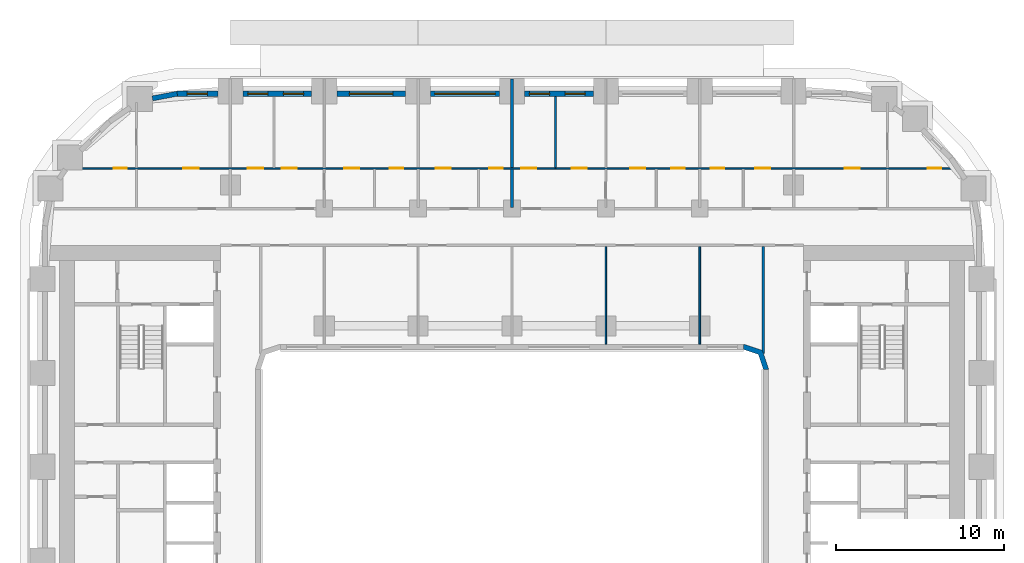
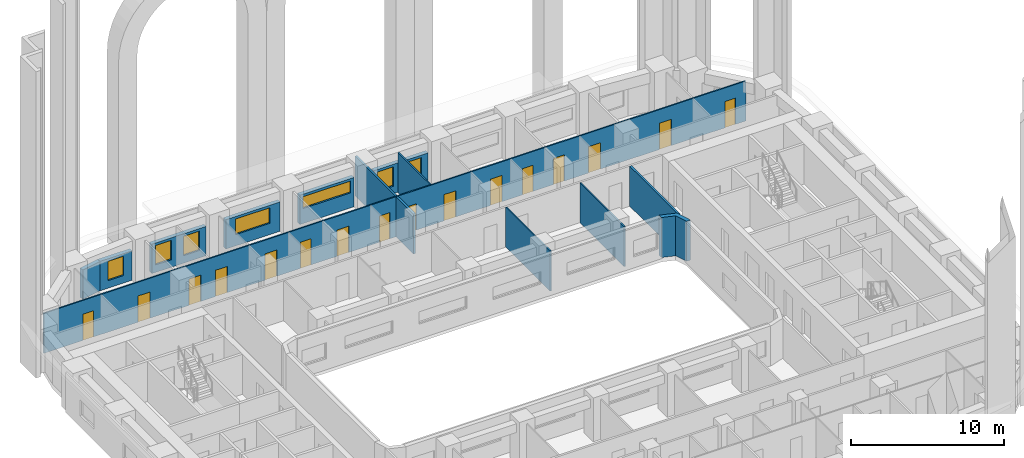
# One storey, part 8 of 21: 16 doors, 14 walls, 7 windows, 23 openings.
"""IFC4 building model written with IfcOpenShell, lengths in metres."""

from ifc_helpers import new_model, si_unit, direction, frame, frame_2d, origin, place, context, subcontext, project, spatial, polyline, rectangle, outline, extrude, material, layer, layer_set, type_object, element, fill, save


model = new_model("IFC4")

# Units and contexts
model_context = context("Model", 3, precision=1e-05, world=origin(), true_north=direction((0.0, 1.0)))
body_context = subcontext(model_context, "Body", "Model", "MODEL_VIEW")
ifc_project = project(units=[si_unit("LENGTHUNIT", "METRE"), si_unit("AREAUNIT", "SQUARE_METRE"), si_unit("VOLUMEUNIT", "CUBIC_METRE"), si_unit("PLANEANGLEUNIT", "RADIAN"), si_unit("MASSUNIT", "GRAM", prefix="KILO")], contexts=[model_context])

# Site, building, storey
site_placement = place(None, origin())
site = spatial("IfcSite", under=ifc_project, at=site_placement, CompositionType="ELEMENT")
building_placement = place(site_placement, origin())
building = spatial("IfcBuilding", under=site, at=building_placement, Name="Kiln Ring Residences", CompositionType="ELEMENT")
storey_placement = place(building_placement, frame((0.0, 0.0, 30.5)))
storey = spatial("IfcBuildingStorey", under=building, at=storey_placement, Name="L06", CompositionType="ELEMENT", Elevation=30.5)

# Wall, openings, windows
ifc_material_1 = material(Name="Brick masonry, dark clay brick", Category="masonry")
ifc_layer_1 = layer(ifc_material_1, 0.300048828125)
ifc_layer_set_1 = layer_set([ifc_layer_1], Name="EW-300 BRICK WALL")
wall_type_1 = type_object("IfcWallType", Name="EW-300 BRICK WALL", PredefinedType="SOLIDWALL", material=ifc_layer_set_1)
wall_1_placement = place(storey_placement, frame((4.85009765625, 22.25, 0.0), z_axis=(0.0, 0.0, 1.0), x_axis=(-1.0, 0.0, 0.0)))
wall_1 = element("IfcWall", 1, at=wall_1_placement, inside=storey, type_object=wall_type_1, Name="Facade wall L06 31", PredefinedType="SOLIDWALL", context=body_context, shape_type="SweptSolid", body=[
    extrude(rectangle(XDim=4.10009765625, YDim=0.300048828125, at=frame_2d((2.050048828125, 0.0))), origin(), (0.0, 0.0, 1.0), 2.35009765625),
])
opening_1_placement = place(wall_1_placement, frame((0.487548828125, 0.0, 0.60009765625)))
opening_1 = element("IfcOpeningElement", 2, at=opening_1_placement, cuts=wall_1, Name="Opening W1", PredefinedType="OPENING", context=body_context, shape_type="SweptSolid", body=[
    extrude(rectangle(XDim=1.199951171875, YDim=1.550048828125, at=frame_2d((0.60009765625, 0.77490234375))), frame((0.0, 0.159912109375, 0.0), z_axis=(0.0, -1.0, 0.0), x_axis=(1.0, 0.0, 0.0)), (0.0, 0.0, 1.0), 0.320068359375),
])
opening_2_placement = place(wall_1_placement, frame((2.612548828125, 0.0, 0.60009765625)))
opening_2 = element("IfcOpeningElement", 3, at=opening_2_placement, cuts=wall_1, Name="Opening W1", PredefinedType="OPENING", context=body_context, shape_type="SweptSolid", body=[
    extrude(rectangle(XDim=1.199951171875, YDim=1.550048828125, at=frame_2d((0.60009765625, 0.77490234375))), frame((0.0, 0.159912109375, 0.0), z_axis=(0.0, -1.0, 0.0), x_axis=(1.0, 0.0, 0.0)), (0.0, 0.0, 1.0), 0.320068359375),
])
ifc_material_2 = material(Name="Aluminium frame with double glazing", Category="aluminium")
window_type_1 = type_object("IfcWindowType", Name="WINDOW 1200 x 1550", PartitioningType="SINGLE_PANEL", PredefinedType="WINDOW", material=ifc_material_2)
window_1_placement = place(opening_1_placement, origin())
window_1 = element("IfcWindow", 4, at=window_1_placement, inside=storey, type_object=window_type_1, Name="Window L06 14", OverallHeight=1.550048828125, OverallWidth=1.199951171875, PartitioningType="SINGLE_PANEL", PredefinedType="WINDOW", context=body_context, shape_type="SweptSolid", body=[
    extrude(rectangle(XDim=1.199951171875, YDim=1.550048828125, at=frame_2d((0.60009765625, 0.77490234375))), frame((0.0, 0.030029296875, 0.0), z_axis=(0.0, -1.0, 0.0), x_axis=(1.0, 0.0, 0.0)), (0.0, 0.0, 1.0), 0.06005859375),
])
fill(opening_1, window_1)
window_2_placement = place(opening_2_placement, origin())
window_2 = element("IfcWindow", 5, at=window_2_placement, inside=storey, type_object=window_type_1, Name="Window L06 15", OverallHeight=1.550048828125, OverallWidth=1.199951171875, PartitioningType="SINGLE_PANEL", PredefinedType="WINDOW", context=body_context, shape_type="SweptSolid", body=[
    extrude(rectangle(XDim=1.199951171875, YDim=1.550048828125, at=frame_2d((0.60009765625, 0.77490234375))), frame((0.0, 0.030029296875, 0.0), z_axis=(0.0, -1.0, 0.0), x_axis=(1.0, 0.0, 0.0)), (0.0, 0.0, 1.0), 0.06005859375),
])
fill(opening_2, window_2)

# Wall, opening, window
wall_2_placement = place(storey_placement, frame((-0.75, 22.25, 0.0), z_axis=(0.0, 0.0, 1.0), x_axis=(-1.0, 0.0, 0.0)))
wall_2 = element("IfcWall", 6, at=wall_2_placement, inside=storey, type_object=wall_type_1, Name="Facade wall L06 32", PredefinedType="SOLIDWALL", context=body_context, shape_type="SweptSolid", body=[
    extrude(rectangle(XDim=4.10009765625, YDim=0.300048828125, at=frame_2d((2.050048828125, 0.0))), origin(), (0.0, 0.0, 1.0), 2.35009765625),
])
opening_3_placement = place(wall_2_placement, frame((0.25, 0.0, 1.199951171875)))
opening_3 = element("IfcOpeningElement", 7, at=opening_3_placement, cuts=wall_2, Name="Opening W4", PredefinedType="OPENING", context=body_context, shape_type="SweptSolid", body=[
    extrude(rectangle(XDim=3.60009765625, YDim=0.949951171875, at=frame_2d((1.800048828125, 0.47509765625))), frame((0.0, 0.159912109375, 0.0), z_axis=(0.0, -1.0, 0.0), x_axis=(1.0, 0.0, 0.0)), (0.0, 0.0, 1.0), 0.320068359375),
])
ifc_material_3 = material(Name="Aluminium frame with double glazing", Category="aluminium")
window_type_2 = type_object("IfcWindowType", Name="WINDOW 3600 x 950", PartitioningType="SINGLE_PANEL", PredefinedType="WINDOW", material=ifc_material_3)
window_3_placement = place(opening_3_placement, origin())
window_3 = element("IfcWindow", 8, at=window_3_placement, inside=storey, type_object=window_type_2, Name="Window L06 16", OverallHeight=0.949951171875, OverallWidth=3.60009765625, PartitioningType="SINGLE_PANEL", PredefinedType="WINDOW", context=body_context, shape_type="SweptSolid", body=[
    extrude(rectangle(XDim=3.60009765625, YDim=0.949951171875, at=frame_2d((1.800048828125, 0.47509765625))), frame((0.0, 0.030029296875, 0.0), z_axis=(0.0, -1.0, 0.0), x_axis=(1.0, 0.0, 0.0)), (0.0, 0.0, 1.0), 0.06005859375),
])
fill(opening_3, window_3)

wall_3_placement = place(storey_placement, frame((-6.35009765625, 22.25, 0.0), z_axis=(0.0, 0.0, 1.0), x_axis=(-1.0, 0.0, 0.0)))
wall_3 = element("IfcWall", 9, at=wall_3_placement, inside=storey, type_object=wall_type_1, Name="Facade wall L06 33", PredefinedType="SOLIDWALL", context=body_context, shape_type="SweptSolid", body=[
    extrude(rectangle(XDim=4.099853515625, YDim=0.300048828125, at=frame_2d((2.0498046875, 0.0))), origin(), (0.0, 0.0, 1.0), 2.35009765625),
])
opening_4_placement = place(wall_3_placement, frame((0.75, 0.0, 0.89990234375)))
opening_4 = element("IfcOpeningElement", 10, at=opening_4_placement, cuts=wall_3, Name="Opening W3", PredefinedType="OPENING", context=body_context, shape_type="SweptSolid", body=[
    extrude(rectangle(XDim=2.60009765625, YDim=1.25, at=frame_2d((1.300048828125, 0.625))), frame((0.0, 0.159912109375, 0.0), z_axis=(0.0, -1.0, 0.0), x_axis=(1.0, 0.0, 0.0)), (0.0, 0.0, 1.0), 0.320068359375),
])
ifc_material_4 = material(Name="Aluminium frame with double glazing", Category="aluminium")
window_type_3 = type_object("IfcWindowType", Name="WINDOW 2600 x 1250", PartitioningType="SINGLE_PANEL", PredefinedType="WINDOW", material=ifc_material_4)
window_4_placement = place(opening_4_placement, origin())
window_4 = element("IfcWindow", 11, at=window_4_placement, inside=storey, type_object=window_type_3, Name="Window L06 17", OverallHeight=1.25, OverallWidth=2.60009765625, PartitioningType="SINGLE_PANEL", PredefinedType="WINDOW", context=body_context, shape_type="SweptSolid", body=[
    extrude(rectangle(XDim=2.60009765625, YDim=1.25, at=frame_2d((1.300048828125, 0.625))), frame((0.0, 0.030029296875, 0.0), z_axis=(0.0, -1.0, 0.0), x_axis=(1.0, 0.0, 0.0)), (0.0, 0.0, 1.0), 0.06005859375),
])
fill(opening_4, window_4)

# Wall, openings, windows
wall_4_placement = place(storey_placement, frame((-11.949951171875, 22.25, 0.0), z_axis=(0.0, 0.0, 1.0), x_axis=(-1.0, 0.0, 0.0)))
wall_4 = element("IfcWall", 12, at=wall_4_placement, inside=storey, type_object=wall_type_1, Name="Facade wall L06 34", PredefinedType="SOLIDWALL", context=body_context, shape_type="SweptSolid", body=[
    extrude(rectangle(XDim=4.10009765625, YDim=0.300048828125, at=frame_2d((2.050048828125, 0.0))), origin(), (0.0, 0.0, 1.0), 2.35009765625),
])
opening_5_placement = place(wall_4_placement, frame((0.487548828125, 0.0, 0.60009765625)))
opening_5 = element("IfcOpeningElement", 13, at=opening_5_placement, cuts=wall_4, Name="Opening W1", PredefinedType="OPENING", context=body_context, shape_type="SweptSolid", body=[
    extrude(rectangle(XDim=1.199951171875, YDim=1.550048828125, at=frame_2d((0.60009765625, 0.77490234375))), frame((0.0, 0.159912109375, 0.0), z_axis=(0.0, -1.0, 0.0), x_axis=(1.0, 0.0, 0.0)), (0.0, 0.0, 1.0), 0.320068359375),
])
opening_6_placement = place(wall_4_placement, frame((2.612548828125, 0.0, 0.60009765625)))
opening_6 = element("IfcOpeningElement", 14, at=opening_6_placement, cuts=wall_4, Name="Opening W1", PredefinedType="OPENING", context=body_context, shape_type="SweptSolid", body=[
    extrude(rectangle(XDim=1.199951171875, YDim=1.550048828125, at=frame_2d((0.60009765625, 0.77490234375))), frame((0.0, 0.159912109375, 0.0), z_axis=(0.0, -1.0, 0.0), x_axis=(1.0, 0.0, 0.0)), (0.0, 0.0, 1.0), 0.320068359375),
])
window_5_placement = place(opening_5_placement, origin())
window_5 = element("IfcWindow", 15, at=window_5_placement, inside=storey, type_object=window_type_1, Name="Window L06 18", OverallHeight=1.550048828125, OverallWidth=1.199951171875, PartitioningType="SINGLE_PANEL", PredefinedType="WINDOW", context=body_context, shape_type="SweptSolid", body=[
    extrude(rectangle(XDim=1.199951171875, YDim=1.550048828125, at=frame_2d((0.60009765625, 0.77490234375))), frame((0.0, 0.030029296875, 0.0), z_axis=(0.0, -1.0, 0.0), x_axis=(1.0, 0.0, 0.0)), (0.0, 0.0, 1.0), 0.06005859375),
])
fill(opening_5, window_5)
window_6_placement = place(opening_6_placement, origin())
window_6 = element("IfcWindow", 16, at=window_6_placement, inside=storey, type_object=window_type_1, Name="Window L06 19", OverallHeight=1.550048828125, OverallWidth=1.199951171875, PartitioningType="SINGLE_PANEL", PredefinedType="WINDOW", context=body_context, shape_type="SweptSolid", body=[
    extrude(rectangle(XDim=1.199951171875, YDim=1.550048828125, at=frame_2d((0.60009765625, 0.77490234375))), frame((0.0, 0.030029296875, 0.0), z_axis=(0.0, -1.0, 0.0), x_axis=(1.0, 0.0, 0.0)), (0.0, 0.0, 1.0), 0.06005859375),
])
fill(opening_6, window_6)

# Wall, opening, window
wall_5_placement = place(storey_placement, frame((-17.550048828125, 22.25, 0.0), z_axis=(0.0, 0.0, 1.0), x_axis=(-1.0, 0.0, 0.0)))
wall_5 = element("IfcWall", 17, at=wall_5_placement, inside=storey, type_object=wall_type_1, Name="Facade wall L06 35", PredefinedType="SOLIDWALL", context=body_context, shape_type="SweptSolid", body=[
    extrude(rectangle(XDim=2.449951171875, YDim=0.300048828125, at=frame_2d((1.22509765625, 0.0))), origin(), (0.0, 0.0, 1.0), 2.35009765625),
])
opening_7_placement = place(wall_5_placement, frame((0.625, 0.0, 0.60009765625)))
opening_7 = element("IfcOpeningElement", 18, at=opening_7_placement, cuts=wall_5, Name="Opening W1", PredefinedType="OPENING", context=body_context, shape_type="SweptSolid", body=[
    extrude(rectangle(XDim=1.199951171875, YDim=1.550048828125, at=frame_2d((0.60009765625, 0.77490234375))), frame((0.0, 0.159912109375, 0.0), z_axis=(0.0, -1.0, 0.0), x_axis=(1.0, 0.0, 0.0)), (0.0, 0.0, 1.0), 0.320068359375),
])
window_7_placement = place(opening_7_placement, origin())
window_7 = element("IfcWindow", 19, at=window_7_placement, inside=storey, type_object=window_type_1, Name="Window L06 20", OverallHeight=1.550048828125, OverallWidth=1.199951171875, PartitioningType="SINGLE_PANEL", PredefinedType="WINDOW", context=body_context, shape_type="SweptSolid", body=[
    extrude(rectangle(XDim=1.199951171875, YDim=1.550048828125, at=frame_2d((0.60009765625, 0.77490234375))), frame((0.0, 0.030029296875, 0.0), z_axis=(0.0, -1.0, 0.0), x_axis=(1.0, 0.0, 0.0)), (0.0, 0.0, 1.0), 0.06005859375),
])
fill(opening_7, window_7)

# Walls
wall_6_placement = place(storey_placement, frame((-19.971923828125, 22.252685546875, 0.0), z_axis=(0.0, 0.0, 1.0), x_axis=(-0.982287454367, -0.187380247071, 0.0)))
element("IfcWall", 20, at=wall_6_placement, inside=storey, type_object=wall_type_1, Name="Facade wall L06 36", PredefinedType="SOLIDWALL", context=body_context, shape_type="SweptSolid", body=[
    extrude(rectangle(XDim=1.506103515625, YDim=0.300048828125, at=frame_2d((0.7529296875, 0.0))), origin(), (0.0, 0.0, 1.0), 2.35009765625),
])
wall_7_placement = place(storey_placement, origin())
element("IfcWall", 21, at=wall_7_placement, inside=storey, type_object=wall_type_1, Name="Corner wall L06 2", PredefinedType="SOLIDWALL", context=body_context, shape_type="SweptSolid", body=[
    extrude(outline(polyline([(14.937255859375, 6.937255859375), (13.8486328125, 7.300048828125), (13.800048828125, 7.300048828125), (13.800048828125, 7.0), (14.699951171875, 6.699951171875), (15.0, 5.800048828125), (15.300048828125, 5.800048828125), (15.300048828125, 5.8486328125), (14.937255859375, 6.937255859375)])), origin(), (0.0, 0.0, 1.0), 3.199951171875),
])

# Wall, openings, doors
ifc_material_5 = material(Name="Gypsum board on steel studs", Category="steel")
ifc_layer_2 = layer(ifc_material_5, 0.10009765625)
ifc_layer_set_2 = layer_set([ifc_layer_2], Name="PARTITION-100")
wall_type_2 = type_object("IfcWallType", Name="PARTITION-100", PredefinedType="PARTITIONING", material=ifc_layer_set_2)
wall_8_placement = place(storey_placement, frame((-26.732177734375, 17.800048828125, 0.0), z_axis=(0.0, 0.0, 1.0), x_axis=(1.0, 0.0, 0.0)))
wall_8 = element("IfcWall", 22, at=wall_8_placement, inside=storey, type_object=wall_type_2, Name="Partition 005", PredefinedType="PARTITIONING", context=body_context, shape_type="SweptSolid", body=[
    extrude(rectangle(XDim=53.126220703125, YDim=0.10009765625, at=frame_2d((26.56298828125, 0.0))), origin(), (0.0, 0.0, 1.0), 3.199951171875),
])
opening_8_placement = place(wall_8_placement, frame((2.964111328125, 0.0, 0.0)))
opening_8 = element("IfcOpeningElement", 23, at=opening_8_placement, cuts=wall_8, Name="Opening L06-D012", PredefinedType="OPENING", context=body_context, shape_type="SweptSolid", body=[
    extrude(rectangle(XDim=0.800048828125, YDim=2.10009765625, at=frame_2d((0.39990234375, 1.050048828125))), frame((0.0, 0.06005859375, 0.0), z_axis=(0.0, -1.0, 0.0), x_axis=(1.0, 0.0, 0.0)), (0.0, 0.0, 1.0), 0.1201171875),
])
opening_9_placement = place(wall_8_placement, frame((7.132080078125, 0.0, 0.0)))
opening_9 = element("IfcOpeningElement", 24, at=opening_9_placement, cuts=wall_8, Name="Opening L06-D013", PredefinedType="OPENING", context=body_context, shape_type="SweptSolid", body=[
    extrude(rectangle(XDim=0.89990234375, YDim=2.10009765625, at=frame_2d((0.449951171875, 1.050048828125))), frame((0.0, 0.06005859375, 0.0), z_axis=(0.0, -1.0, 0.0), x_axis=(1.0, 0.0, 0.0)), (0.0, 0.0, 1.0), 0.1201171875),
])
opening_10_placement = place(wall_8_placement, frame((19.43212890625, 0.0, 0.0)))
opening_10 = element("IfcOpeningElement", 25, at=opening_10_placement, cuts=wall_8, Name="Opening L06-D017", PredefinedType="OPENING", context=body_context, shape_type="SweptSolid", body=[
    extrude(rectangle(XDim=0.800048828125, YDim=2.10009765625, at=frame_2d((0.39990234375, 1.050048828125))), frame((0.0, 0.06005859375, 0.0), z_axis=(0.0, -1.0, 0.0), x_axis=(1.0, 0.0, 0.0)), (0.0, 0.0, 1.0), 0.1201171875),
])
opening_11_placement = place(wall_8_placement, frame((16.732177734375, 0.0, 0.0)))
opening_11 = element("IfcOpeningElement", 26, at=opening_11_placement, cuts=wall_8, Name="Opening L06-D018", PredefinedType="OPENING", context=body_context, shape_type="SweptSolid", body=[
    extrude(rectangle(XDim=0.89990234375, YDim=2.10009765625, at=frame_2d((0.449951171875, 1.050048828125))), frame((0.0, 0.06005859375, 0.0), z_axis=(0.0, -1.0, 0.0), x_axis=(1.0, 0.0, 0.0)), (0.0, 0.0, 1.0), 0.1201171875),
])
opening_12_placement = place(wall_8_placement, frame((10.982177734375, 0.0, 0.0)))
opening_12 = element("IfcOpeningElement", 27, at=opening_12_placement, cuts=wall_8, Name="Opening L06-D019", PredefinedType="OPENING", context=body_context, shape_type="SweptSolid", body=[
    extrude(rectangle(XDim=0.89990234375, YDim=2.10009765625, at=frame_2d((0.449951171875, 1.050048828125))), frame((0.0, 0.06005859375, 0.0), z_axis=(0.0, -1.0, 0.0), x_axis=(1.0, 0.0, 0.0)), (0.0, 0.0, 1.0), 0.1201171875),
])
opening_13_placement = place(wall_8_placement, frame((12.982177734375, 0.0, 0.0)))
opening_13 = element("IfcOpeningElement", 28, at=opening_13_placement, cuts=wall_8, Name="Opening L06-D020", PredefinedType="OPENING", context=body_context, shape_type="SweptSolid", body=[
    extrude(rectangle(XDim=0.89990234375, YDim=2.10009765625, at=frame_2d((0.449951171875, 1.050048828125))), frame((0.0, 0.06005859375, 0.0), z_axis=(0.0, -1.0, 0.0), x_axis=(1.0, 0.0, 0.0)), (0.0, 0.0, 1.0), 0.1201171875),
])
opening_14_placement = place(wall_8_placement, frame((25.382080078125, 0.0, 0.0)))
opening_14 = element("IfcOpeningElement", 29, at=opening_14_placement, cuts=wall_8, Name="Opening L06-D022", PredefinedType="OPENING", context=body_context, shape_type="SweptSolid", body=[
    extrude(rectangle(XDim=0.800048828125, YDim=2.10009765625, at=frame_2d((0.39990234375, 1.050048828125))), frame((0.0, 0.06005859375, 0.0), z_axis=(0.0, -1.0, 0.0), x_axis=(1.0, 0.0, 0.0)), (0.0, 0.0, 1.0), 0.1201171875),
])
opening_15_placement = place(wall_8_placement, frame((22.18212890625, 0.0, 0.0)))
opening_15 = element("IfcOpeningElement", 30, at=opening_15_placement, cuts=wall_8, Name="Opening L06-D023", PredefinedType="OPENING", context=body_context, shape_type="SweptSolid", body=[
    extrude(rectangle(XDim=0.89990234375, YDim=2.10009765625, at=frame_2d((0.449951171875, 1.050048828125))), frame((0.0, 0.06005859375, 0.0), z_axis=(0.0, -1.0, 0.0), x_axis=(1.0, 0.0, 0.0)), (0.0, 0.0, 1.0), 0.1201171875),
])
opening_16_placement = place(wall_8_placement, frame((36.232177734375, 0.0, 0.0)))
opening_16 = element("IfcOpeningElement", 31, at=opening_16_placement, cuts=wall_8, Name="Opening L06-D026", PredefinedType="OPENING", context=body_context, shape_type="SweptSolid", body=[
    extrude(rectangle(XDim=0.800048828125, YDim=2.10009765625, at=frame_2d((0.39990234375, 1.050048828125))), frame((0.0, 0.06005859375, 0.0), z_axis=(0.0, -1.0, 0.0), x_axis=(1.0, 0.0, 0.0)), (0.0, 0.0, 1.0), 0.1201171875),
])
opening_17_placement = place(wall_8_placement, frame((33.781982421875, 0.0, 0.0)))
opening_17 = element("IfcOpeningElement", 32, at=opening_17_placement, cuts=wall_8, Name="Opening L06-D027", PredefinedType="OPENING", context=body_context, shape_type="SweptSolid", body=[
    extrude(rectangle(XDim=0.89990234375, YDim=2.10009765625, at=frame_2d((0.449951171875, 1.050048828125))), frame((0.0, 0.06005859375, 0.0), z_axis=(0.0, -1.0, 0.0), x_axis=(1.0, 0.0, 0.0)), (0.0, 0.0, 1.0), 0.1201171875),
])
opening_18_placement = place(wall_8_placement, frame((27.281982421875, 0.0, 0.0)))
opening_18 = element("IfcOpeningElement", 33, at=opening_18_placement, cuts=wall_8, Name="Opening L06-D028", PredefinedType="OPENING", context=body_context, shape_type="SweptSolid", body=[
    extrude(rectangle(XDim=0.89990234375, YDim=2.10009765625, at=frame_2d((0.449951171875, 1.050048828125))), frame((0.0, 0.06005859375, 0.0), z_axis=(0.0, -1.0, 0.0), x_axis=(1.0, 0.0, 0.0)), (0.0, 0.0, 1.0), 0.1201171875),
])
opening_19_placement = place(wall_8_placement, frame((30.281982421875, 0.0, 0.0)))
opening_19 = element("IfcOpeningElement", 34, at=opening_19_placement, cuts=wall_8, Name="Opening L06-D029", PredefinedType="OPENING", context=body_context, shape_type="SweptSolid", body=[
    extrude(rectangle(XDim=0.89990234375, YDim=2.10009765625, at=frame_2d((0.449951171875, 1.050048828125))), frame((0.0, 0.06005859375, 0.0), z_axis=(0.0, -1.0, 0.0), x_axis=(1.0, 0.0, 0.0)), (0.0, 0.0, 1.0), 0.1201171875),
])
opening_20_placement = place(wall_8_placement, frame((38.58203125, 0.0, 0.0)))
opening_20 = element("IfcOpeningElement", 35, at=opening_20_placement, cuts=wall_8, Name="Opening L06-D031", PredefinedType="OPENING", context=body_context, shape_type="SweptSolid", body=[
    extrude(rectangle(XDim=0.800048828125, YDim=2.10009765625, at=frame_2d((0.39990234375, 1.050048828125))), frame((0.0, 0.06005859375, 0.0), z_axis=(0.0, -1.0, 0.0), x_axis=(1.0, 0.0, 0.0)), (0.0, 0.0, 1.0), 0.1201171875),
])
opening_21_placement = place(wall_8_placement, frame((41.232177734375, 0.0, 0.0)))
opening_21 = element("IfcOpeningElement", 36, at=opening_21_placement, cuts=wall_8, Name="Opening L06-D032", PredefinedType="OPENING", context=body_context, shape_type="SweptSolid", body=[
    extrude(rectangle(XDim=0.89990234375, YDim=2.10009765625, at=frame_2d((0.449951171875, 1.050048828125))), frame((0.0, 0.06005859375, 0.0), z_axis=(0.0, -1.0, 0.0), x_axis=(1.0, 0.0, 0.0)), (0.0, 0.0, 1.0), 0.1201171875),
])
opening_22_placement = place(wall_8_placement, frame((51.531982421875, 0.0, 0.0)))
opening_22 = element("IfcOpeningElement", 37, at=opening_22_placement, cuts=wall_8, Name="Opening L06-D034", PredefinedType="OPENING", context=body_context, shape_type="SweptSolid", body=[
    extrude(rectangle(XDim=0.800048828125, YDim=2.10009765625, at=frame_2d((0.39990234375, 1.050048828125))), frame((0.0, 0.06005859375, 0.0), z_axis=(0.0, -1.0, 0.0), x_axis=(1.0, 0.0, 0.0)), (0.0, 0.0, 1.0), 0.1201171875),
])
opening_23_placement = place(wall_8_placement, frame((46.58203125, 0.0, 0.0)))
opening_23 = element("IfcOpeningElement", 38, at=opening_23_placement, cuts=wall_8, Name="Opening L06-D035", PredefinedType="OPENING", context=body_context, shape_type="SweptSolid", body=[
    extrude(rectangle(XDim=0.89990234375, YDim=2.10009765625, at=frame_2d((0.449951171875, 1.050048828125))), frame((0.0, 0.06005859375, 0.0), z_axis=(0.0, -1.0, 0.0), x_axis=(1.0, 0.0, 0.0)), (0.0, 0.0, 1.0), 0.1201171875),
])
ifc_material_6 = material(Name="Timber door leaf", Category="wood")
door_type_1 = type_object("IfcDoorType", Name="FLAT-DOOR-800-PL", OperationType="SINGLE_SWING_LEFT", PredefinedType="DOOR", material=ifc_material_6)
door_1_placement = place(opening_8_placement, origin())
door_1 = element("IfcDoor", 39, at=door_1_placement, inside=storey, type_object=door_type_1, Name="Door L06-D012", OperationType="SINGLE_SWING_RIGHT", OverallHeight=2.10009765625, OverallWidth=0.800048828125, PredefinedType="DOOR", context=body_context, shape_type="SweptSolid", body=[
    extrude(rectangle(XDim=0.800048828125, YDim=2.10009765625, at=frame_2d((0.39990234375, 1.050048828125))), frame((0.0, 0.02490234375, 0.0), z_axis=(0.0, -1.0, 0.0), x_axis=(1.0, 0.0, 0.0)), (0.0, 0.0, 1.0), 0.050048828125),
])
fill(opening_8, door_1)
door_2_placement = place(opening_10_placement, origin())
door_2 = element("IfcDoor", 40, at=door_2_placement, inside=storey, type_object=door_type_1, Name="Door L06-D017", OperationType="SINGLE_SWING_LEFT", OverallHeight=2.10009765625, OverallWidth=0.800048828125, PredefinedType="DOOR", context=body_context, shape_type="SweptSolid", body=[
    extrude(rectangle(XDim=0.800048828125, YDim=2.10009765625, at=frame_2d((0.39990234375, 1.050048828125))), frame((0.0, 0.02490234375, 0.0), z_axis=(0.0, -1.0, 0.0), x_axis=(1.0, 0.0, 0.0)), (0.0, 0.0, 1.0), 0.050048828125),
])
fill(opening_10, door_2)
door_3_placement = place(opening_14_placement, origin())
door_3 = element("IfcDoor", 41, at=door_3_placement, inside=storey, type_object=door_type_1, Name="Door L06-D022", OperationType="SINGLE_SWING_RIGHT", OverallHeight=2.10009765625, OverallWidth=0.800048828125, PredefinedType="DOOR", context=body_context, shape_type="SweptSolid", body=[
    extrude(rectangle(XDim=0.800048828125, YDim=2.10009765625, at=frame_2d((0.39990234375, 1.050048828125))), frame((0.0, 0.02490234375, 0.0), z_axis=(0.0, -1.0, 0.0), x_axis=(1.0, 0.0, 0.0)), (0.0, 0.0, 1.0), 0.050048828125),
])
fill(opening_14, door_3)
door_4_placement = place(opening_16_placement, origin())
door_4 = element("IfcDoor", 42, at=door_4_placement, inside=storey, type_object=door_type_1, Name="Door L06-D026", OperationType="SINGLE_SWING_RIGHT", OverallHeight=2.10009765625, OverallWidth=0.800048828125, PredefinedType="DOOR", context=body_context, shape_type="SweptSolid", body=[
    extrude(rectangle(XDim=0.800048828125, YDim=2.10009765625, at=frame_2d((0.39990234375, 1.050048828125))), frame((0.0, 0.02490234375, 0.0), z_axis=(0.0, -1.0, 0.0), x_axis=(1.0, 0.0, 0.0)), (0.0, 0.0, 1.0), 0.050048828125),
])
fill(opening_16, door_4)
door_5_placement = place(opening_20_placement, origin())
door_5 = element("IfcDoor", 43, at=door_5_placement, inside=storey, type_object=door_type_1, Name="Door L06-D031", OperationType="SINGLE_SWING_LEFT", OverallHeight=2.10009765625, OverallWidth=0.800048828125, PredefinedType="DOOR", context=body_context, shape_type="SweptSolid", body=[
    extrude(rectangle(XDim=0.800048828125, YDim=2.10009765625, at=frame_2d((0.39990234375, 1.050048828125))), frame((0.0, 0.02490234375, 0.0), z_axis=(0.0, -1.0, 0.0), x_axis=(1.0, 0.0, 0.0)), (0.0, 0.0, 1.0), 0.050048828125),
])
fill(opening_20, door_5)
door_6_placement = place(opening_22_placement, origin())
door_6 = element("IfcDoor", 44, at=door_6_placement, inside=storey, type_object=door_type_1, Name="Door L06-D034", OperationType="SINGLE_SWING_RIGHT", OverallHeight=2.10009765625, OverallWidth=0.800048828125, PredefinedType="DOOR", context=body_context, shape_type="SweptSolid", body=[
    extrude(rectangle(XDim=0.800048828125, YDim=2.10009765625, at=frame_2d((0.39990234375, 1.050048828125))), frame((0.0, 0.02490234375, 0.0), z_axis=(0.0, -1.0, 0.0), x_axis=(1.0, 0.0, 0.0)), (0.0, 0.0, 1.0), 0.050048828125),
])
fill(opening_22, door_6)
ifc_material_7 = material(Name="Timber door leaf", Category="wood")
door_type_2 = type_object("IfcDoorType", Name="FLAT-DOOR-900-PL", OperationType="SINGLE_SWING_LEFT", PredefinedType="DOOR", material=ifc_material_7)
door_7_placement = place(opening_9_placement, origin())
door_7 = element("IfcDoor", 45, at=door_7_placement, inside=storey, type_object=door_type_2, Name="Door L06-D013", OperationType="SINGLE_SWING_LEFT", OverallHeight=2.10009765625, OverallWidth=0.89990234375, PredefinedType="DOOR", context=body_context, shape_type="SweptSolid", body=[
    extrude(rectangle(XDim=0.89990234375, YDim=2.10009765625, at=frame_2d((0.449951171875, 1.050048828125))), frame((0.0, 0.02490234375, 0.0), z_axis=(0.0, -1.0, 0.0), x_axis=(1.0, 0.0, 0.0)), (0.0, 0.0, 1.0), 0.050048828125),
])
fill(opening_9, door_7)
door_8_placement = place(opening_11_placement, origin())
door_8 = element("IfcDoor", 46, at=door_8_placement, inside=storey, type_object=door_type_2, Name="Door L06-D018", OperationType="SINGLE_SWING_RIGHT", OverallHeight=2.10009765625, OverallWidth=0.89990234375, PredefinedType="DOOR", context=body_context, shape_type="SweptSolid", body=[
    extrude(rectangle(XDim=0.89990234375, YDim=2.10009765625, at=frame_2d((0.449951171875, 1.050048828125))), frame((0.0, 0.02490234375, 0.0), z_axis=(0.0, -1.0, 0.0), x_axis=(1.0, 0.0, 0.0)), (0.0, 0.0, 1.0), 0.050048828125),
])
fill(opening_11, door_8)
door_9_placement = place(opening_12_placement, origin())
door_9 = element("IfcDoor", 47, at=door_9_placement, inside=storey, type_object=door_type_2, Name="Door L06-D019", OperationType="SINGLE_SWING_LEFT", OverallHeight=2.10009765625, OverallWidth=0.89990234375, PredefinedType="DOOR", context=body_context, shape_type="SweptSolid", body=[
    extrude(rectangle(XDim=0.89990234375, YDim=2.10009765625, at=frame_2d((0.449951171875, 1.050048828125))), frame((0.0, 0.02490234375, 0.0), z_axis=(0.0, -1.0, 0.0), x_axis=(1.0, 0.0, 0.0)), (0.0, 0.0, 1.0), 0.050048828125),
])
fill(opening_12, door_9)
door_10_placement = place(opening_13_placement, origin())
door_10 = element("IfcDoor", 48, at=door_10_placement, inside=storey, type_object=door_type_2, Name="Door L06-D020", OperationType="SINGLE_SWING_RIGHT", OverallHeight=2.10009765625, OverallWidth=0.89990234375, PredefinedType="DOOR", context=body_context, shape_type="SweptSolid", body=[
    extrude(rectangle(XDim=0.89990234375, YDim=2.10009765625, at=frame_2d((0.449951171875, 1.050048828125))), frame((0.0, 0.02490234375, 0.0), z_axis=(0.0, -1.0, 0.0), x_axis=(1.0, 0.0, 0.0)), (0.0, 0.0, 1.0), 0.050048828125),
])
fill(opening_13, door_10)
door_11_placement = place(opening_15_placement, origin())
door_11 = element("IfcDoor", 49, at=door_11_placement, inside=storey, type_object=door_type_2, Name="Door L06-D023", OperationType="SINGLE_SWING_RIGHT", OverallHeight=2.10009765625, OverallWidth=0.89990234375, PredefinedType="DOOR", context=body_context, shape_type="SweptSolid", body=[
    extrude(rectangle(XDim=0.89990234375, YDim=2.10009765625, at=frame_2d((0.449951171875, 1.050048828125))), frame((0.0, 0.02490234375, 0.0), z_axis=(0.0, -1.0, 0.0), x_axis=(1.0, 0.0, 0.0)), (0.0, 0.0, 1.0), 0.050048828125),
])
fill(opening_15, door_11)
door_12_placement = place(opening_17_placement, origin())
door_12 = element("IfcDoor", 50, at=door_12_placement, inside=storey, type_object=door_type_2, Name="Door L06-D027", OperationType="SINGLE_SWING_LEFT", OverallHeight=2.10009765625, OverallWidth=0.89990234375, PredefinedType="DOOR", context=body_context, shape_type="SweptSolid", body=[
    extrude(rectangle(XDim=0.89990234375, YDim=2.10009765625, at=frame_2d((0.449951171875, 1.050048828125))), frame((0.0, 0.02490234375, 0.0), z_axis=(0.0, -1.0, 0.0), x_axis=(1.0, 0.0, 0.0)), (0.0, 0.0, 1.0), 0.050048828125),
])
fill(opening_17, door_12)
door_13_placement = place(opening_18_placement, origin())
door_13 = element("IfcDoor", 51, at=door_13_placement, inside=storey, type_object=door_type_2, Name="Door L06-D028", OperationType="SINGLE_SWING_RIGHT", OverallHeight=2.10009765625, OverallWidth=0.89990234375, PredefinedType="DOOR", context=body_context, shape_type="SweptSolid", body=[
    extrude(rectangle(XDim=0.89990234375, YDim=2.10009765625, at=frame_2d((0.449951171875, 1.050048828125))), frame((0.0, 0.02490234375, 0.0), z_axis=(0.0, -1.0, 0.0), x_axis=(1.0, 0.0, 0.0)), (0.0, 0.0, 1.0), 0.050048828125),
])
fill(opening_18, door_13)
door_14_placement = place(opening_19_placement, origin())
door_14 = element("IfcDoor", 52, at=door_14_placement, inside=storey, type_object=door_type_2, Name="Door L06-D029", OperationType="SINGLE_SWING_LEFT", OverallHeight=2.10009765625, OverallWidth=0.89990234375, PredefinedType="DOOR", context=body_context, shape_type="SweptSolid", body=[
    extrude(rectangle(XDim=0.89990234375, YDim=2.10009765625, at=frame_2d((0.449951171875, 1.050048828125))), frame((0.0, 0.02490234375, 0.0), z_axis=(0.0, -1.0, 0.0), x_axis=(1.0, 0.0, 0.0)), (0.0, 0.0, 1.0), 0.050048828125),
])
fill(opening_19, door_14)
door_15_placement = place(opening_21_placement, origin())
door_15 = element("IfcDoor", 53, at=door_15_placement, inside=storey, type_object=door_type_2, Name="Door L06-D032", OperationType="SINGLE_SWING_RIGHT", OverallHeight=2.10009765625, OverallWidth=0.89990234375, PredefinedType="DOOR", context=body_context, shape_type="SweptSolid", body=[
    extrude(rectangle(XDim=0.89990234375, YDim=2.10009765625, at=frame_2d((0.449951171875, 1.050048828125))), frame((0.0, 0.02490234375, 0.0), z_axis=(0.0, -1.0, 0.0), x_axis=(1.0, 0.0, 0.0)), (0.0, 0.0, 1.0), 0.050048828125),
])
fill(opening_21, door_15)
door_16_placement = place(opening_23_placement, origin())
door_16 = element("IfcDoor", 54, at=door_16_placement, inside=storey, type_object=door_type_2, Name="Door L06-D035", OperationType="SINGLE_SWING_LEFT", OverallHeight=2.10009765625, OverallWidth=0.89990234375, PredefinedType="DOOR", context=body_context, shape_type="SweptSolid", body=[
    extrude(rectangle(XDim=0.89990234375, YDim=2.10009765625, at=frame_2d((0.449951171875, 1.050048828125))), frame((0.0, 0.02490234375, 0.0), z_axis=(0.0, -1.0, 0.0), x_axis=(1.0, 0.0, 0.0)), (0.0, 0.0, 1.0), 0.050048828125),
])
fill(opening_23, door_16)

# Walls
wall_9_placement = place(storey_placement, frame((2.60009765625, 17.85009765625, 0.0), z_axis=(0.0, 0.0, 1.0), x_axis=(0.0, 1.0, 0.0)))
element("IfcWall", 55, at=wall_9_placement, inside=storey, type_object=wall_type_2, Name="Partition 040", PredefinedType="PARTITIONING", context=body_context, shape_type="SweptSolid", body=[
    extrude(rectangle(XDim=4.22998046875, YDim=0.10009765625, at=frame_2d((2.114990234375, 0.0))), origin(), (0.0, 0.0, 1.0), 3.199951171875),
])
for number, where, z_axis, x_axis, name in (
    (56, (5.60009765625, 7.320068359375, 0.0), (0.0, 0.0, 1.0), (0.0, 1.0, 0.0), "Partition 043"),
    (57, (11.199951171875, 7.320068359375, 0.0), (0.0, 0.0, 1.0), (0.0, 1.0, 0.0), "Partition 053"),
):
    element("IfcWall", number, at=place(storey_placement, frame(where, z_axis=z_axis, x_axis=x_axis)), inside=storey, type_object=wall_type_2, Name=name, PredefinedType="PARTITIONING", context=body_context, shape_type="SweptSolid", body=[
        extrude(rectangle(XDim=5.804931640625, YDim=0.10009765625, at=frame_2d((2.90234375, 0.0))), origin(), (0.0, 0.0, 1.0), 3.199951171875),
    ])
ifc_material_8 = material(Name="Brick masonry partition", Category="masonry")
ifc_layer_3 = layer(ifc_material_8, 0.14990234375)
ifc_layer_set_3 = layer_set([ifc_layer_3], Name="PARTITION-150-ei60")
wall_type_3 = type_object("IfcWallType", Name="PARTITION-150-ei60", PredefinedType="PARTITIONING", material=ifc_layer_set_3)
wall_10_placement = place(storey_placement, frame((0.0, 15.47509765625, 0.0), z_axis=(0.0, 0.0, 1.0), x_axis=(0.0, 1.0, 0.0)))
element("IfcWall", 58, at=wall_10_placement, inside=storey, type_object=wall_type_3, Name="Partition 038", PredefinedType="PARTITIONING", context=body_context, shape_type="SweptSolid", body=[
    extrude(rectangle(XDim=2.27490234375, YDim=0.14990234375, at=frame_2d((1.137451171875, 0.0))), origin(), (0.0, 0.0, 1.0), 3.199951171875),
])
wall_11_placement = place(storey_placement, frame((0.0, 17.85009765625, 0.0), z_axis=(0.0, 0.0, 1.0), x_axis=(0.0, 1.0, 0.0)))
element("IfcWall", 59, at=wall_11_placement, inside=storey, type_object=wall_type_3, Name="Partition 039", PredefinedType="PARTITIONING", context=body_context, shape_type="SweptSolid", body=[
    extrude(rectangle(XDim=5.27978515625, YDim=0.14990234375, at=frame_2d((2.639892578125, 0.0))), origin(), (0.0, 0.0, 1.0), 3.199951171875),
])
wall_12_placement = place(storey_placement, frame((15.0, 6.768798828125, 0.0), z_axis=(0.0, 0.0, 1.0), x_axis=(0.0, 1.0, 0.0)))
element("IfcWall", 60, at=wall_12_placement, inside=storey, type_object=wall_type_3, Name="Partition 059", PredefinedType="PARTITIONING", context=body_context, shape_type="SweptSolid", body=[
    extrude(rectangle(XDim=6.356201171875, YDim=0.14990234375, at=frame_2d((3.17822265625, 0.0))), origin(), (0.0, 0.0, 1.0), 3.199951171875),
])

save(model, "model.ifc")
